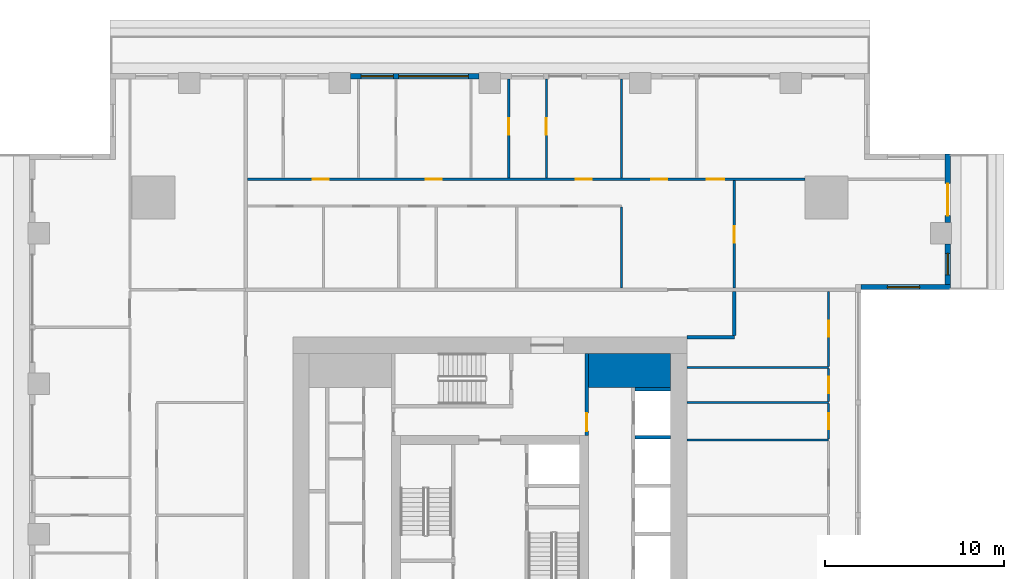
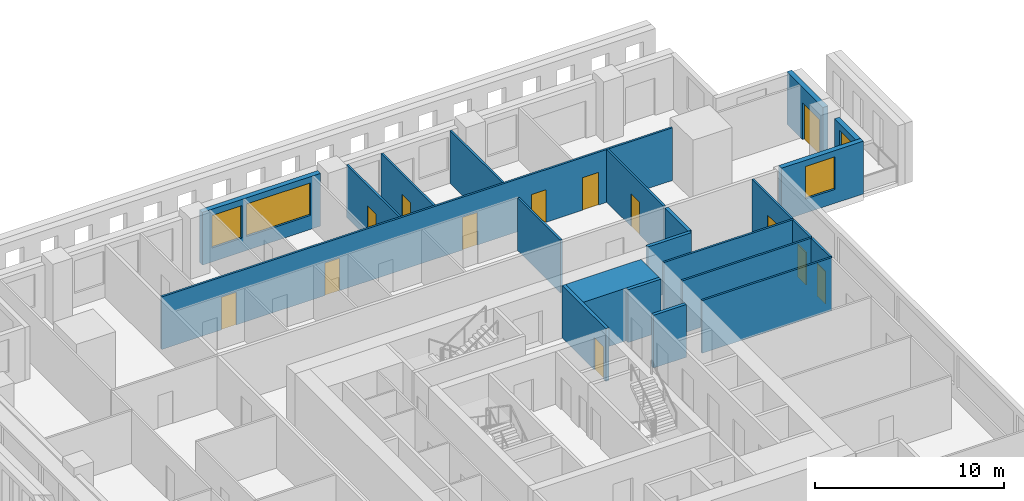
# One storey, part 8 of 15: 22 walls, 13 doors, 4 windows, 17 openings.
"""IFC4 building model written with IfcOpenShell, lengths in metres."""

from ifc_helpers import new_model, si_unit, direction, frame, frame_2d, origin, place, context, subcontext, project, spatial, rectangle, extrude, material, layer, layer_set, type_object, element, fill, save


model = new_model("IFC4")

# Units and contexts
model_context = context("Model", 3, precision=1e-05, world=origin(), true_north=direction((0.0, 1.0)))
body_context = subcontext(model_context, "Body", "Model", "MODEL_VIEW")
ifc_project = project(units=[si_unit("LENGTHUNIT", "METRE"), si_unit("AREAUNIT", "SQUARE_METRE"), si_unit("VOLUMEUNIT", "CUBIC_METRE"), si_unit("PLANEANGLEUNIT", "RADIAN"), si_unit("MASSUNIT", "GRAM", prefix="KILO")], contexts=[model_context])

# Site, building, storey
site_placement = place(None, origin())
site = spatial("IfcSite", under=ifc_project, at=site_placement, CompositionType="ELEMENT")
building_placement = place(site_placement, origin())
building = spatial("IfcBuilding", under=site, at=building_placement, Name="Khepri Terraces", CompositionType="ELEMENT")
storey_placement = place(building_placement, frame((0.0, 0.0, 231.300048828125)))
storey = spatial("IfcBuildingStorey", under=building, at=storey_placement, Name="L55", CompositionType="ELEMENT", Elevation=231.300048828125)

# Walls
ifc_material_1 = material(Name="Concrete C50/60", Category="concrete")
ifc_layer_1 = layer(ifc_material_1, 1.89990234375, Name="Concrete C50/60", Category="concrete")
ifc_layer_set_1 = layer_set([ifc_layer_1], Name="Concrete C50/60")
wall_type_1 = type_object("IfcWallType", Name="Core wall 1900 C50/60", PredefinedType="SHEAR", material=ifc_layer_set_1)
wall_1_placement = place(storey_placement, frame((5.5, 9.14990234375, 0.0), z_axis=(0.0, 0.0, 1.0), x_axis=(1.0, 0.0, 0.0)))
element("IfcWall", 1, at=wall_1_placement, inside=storey, type_object=wall_type_1, Name="Core wall PR04 L55", PredefinedType="SHEAR", context=body_context, shape_type="SweptSolid", body=[
    extrude(rectangle(XDim=4.60009765625, YDim=1.89990234375, at=frame_2d((2.300048828125, 0.0))), origin(), (0.0, 0.0, 1.0), 3.39990234375),
])
ifc_layer_2 = layer(ifc_material_1, 0.199951171875, Name="Concrete C50/60", Category="concrete")
ifc_layer_set_2 = layer_set([ifc_layer_2], Name="Concrete C50/60")
wall_type_2 = type_object("IfcWallType", Name="Core wall 200 C50/60", PredefinedType="SHEAR", material=ifc_layer_set_2)
for number, where, z_axis, x_axis, name in (
    (2, (8.10009765625, 5.39990234375, 0.0), (0.0, 0.0, 1.0), (1.0, 0.0, 0.0), "Core wall SH14 L55"),
    (3, (8.10009765625, 8.10009765625, 0.0), (0.0, 0.0, 1.0), (1.0, 0.0, 0.0), "Core wall SH15 L55"),
):
    element("IfcWall", number, at=place(storey_placement, frame(where, z_axis=z_axis, x_axis=x_axis)), inside=storey, type_object=wall_type_2, Name=name, PredefinedType="SHEAR", context=body_context, shape_type="SweptSolid", body=[
        extrude(rectangle(XDim=2.0, YDim=0.199951171875, at=frame_2d((1.0, 0.0))), origin(), (0.0, 0.0, 1.0), 3.39990234375),
    ])

# Wall, opening, door
ifc_material_2 = material(Name="Fire-rated gypsum board partition")
ifc_layer_3 = layer(ifc_material_2, 0.199951171875, Name="Fire-rated gypsum board partition")
ifc_layer_set_3 = layer_set([ifc_layer_3], Name="Fire-rated gypsum board partition")
wall_type_3 = type_object("IfcWallType", Name="WL-CORE-PART-200", PredefinedType="PARTITIONING", material=ifc_layer_set_3)
wall_2_placement = place(storey_placement, frame((5.39990234375, 5.5, 0.0), z_axis=(0.0, 0.0, 1.0), x_axis=(0.0, 1.0, 0.0)))
wall_2 = element("IfcWall", 4, at=wall_2_placement, inside=storey, type_object=wall_type_3, Name="Core partition PT13 L55", PredefinedType="PARTITIONING", context=body_context, shape_type="SweptSolid", body=[
    extrude(rectangle(XDim=4.60009765625, YDim=0.199951171875, at=frame_2d((2.300048828125, 0.0))), origin(), (0.0, 0.0, 1.0), 3.39990234375),
])
opening_1_placement = place(wall_2_placement, frame((0.25, 0.0, 0.0)))
opening_1 = element("IfcOpeningElement", 5, at=opening_1_placement, cuts=wall_2, Name="Opening L55-C17", PredefinedType="OPENING", context=body_context, shape_type="SweptSolid", body=[
    extrude(rectangle(XDim=1.0, YDim=2.10009765625, at=frame_2d((0.5, 1.050048828125))), frame((0.0, 0.10986328125, 0.0), z_axis=(0.0, -1.0, 0.0), x_axis=(1.0, 0.0, 0.0)), (0.0, 0.0, 1.0), 0.219970703125),
])
ifc_material_3 = material(Name="Painted steel", Category="steel")
door_type_1 = type_object("IfcDoorType", Name="DR-CORE-LOBBY-1000", OperationType="NOTDEFINED", PredefinedType="DOOR", material=ifc_material_3)
door_1_placement = place(opening_1_placement, origin())
door_1 = element("IfcDoor", 6, at=door_1_placement, inside=storey, type_object=door_type_1, Name="Lobby door L55-C17", OperationType="SINGLE_SWING_LEFT", OverallHeight=2.10009765625, OverallWidth=1.0, PredefinedType="DOOR", context=body_context, shape_type="SweptSolid", body=[
    extrude(rectangle(XDim=1.0, YDim=2.10009765625, at=frame_2d((0.5, 1.050048828125))), frame((0.0, 0.02490234375, 0.0), z_axis=(0.0, -1.0, 0.0), x_axis=(1.0, 0.0, 0.0)), (0.0, 0.0, 1.0), 0.050048828125),
])
fill(opening_1, door_1)

# Walls
ifc_material_4 = material(Name="Fire-rated gypsum plasterboard partition, mineral wool")
ifc_layer_4 = layer(ifc_material_4, 0.199951171875, Name="Fire-rated gypsum plasterboard partition, mineral wool")
ifc_layer_set_4 = layer_set([ifc_layer_4], Name="Fire-rated gypsum plasterboard partition, mineral wool")
wall_type_4 = type_object("IfcWallType", Name="WL-CORR-200", PredefinedType="PARTITIONING", material=ifc_layer_set_4)
wall_3_placement = place(storey_placement, frame((11.0, 11.0, 0.0), z_axis=(0.0, 0.0, 1.0), x_axis=(1.0, 0.0, 0.0)))
element("IfcWall", 7, at=wall_3_placement, inside=storey, type_object=wall_type_4, Name="Partition P-064 L55", PredefinedType="PARTITIONING", context=body_context, shape_type="SweptSolid", body=[
    extrude(rectangle(XDim=2.64990234375, YDim=0.199951171875, at=frame_2d((1.324951171875, 0.0))), origin(), (0.0, 0.0, 1.0), 3.39990234375),
])
wall_4_placement = place(storey_placement, frame((13.64990234375, 11.10009765625, 0.0), z_axis=(0.0, 0.0, 1.0), x_axis=(0.0, 1.0, 0.0)))
element("IfcWall", 8, at=wall_4_placement, inside=storey, type_object=wall_type_4, Name="Partition P-065 L55", PredefinedType="PARTITIONING", context=body_context, shape_type="SweptSolid", body=[
    extrude(rectangle(XDim=2.449951171875, YDim=0.199951171875, at=frame_2d((1.22509765625, 0.0))), origin(), (0.0, 0.0, 1.0), 3.39990234375),
])

# Wall, opening, window
ifc_material_5 = material(Name="Precast concrete C50/60 warm stone", Category="masonry")
ifc_layer_5 = layer(ifc_material_5, 0.300048828125, Name="Precast concrete C50/60 warm stone", Category="masonry")
ifc_layer_set_5 = layer_set([ifc_layer_5], Name="Precast concrete C50/60 warm stone")
wall_type_5 = type_object("IfcWallType", Name="WL-EXT-PRECAST-300", PredefinedType="STANDARD", material=ifc_layer_set_5)
wall_5_placement = place(storey_placement, frame((20.719970703125, 13.800048828125, 0.0), z_axis=(0.0, 0.0, 1.0), x_axis=(1.0, 0.0, 0.0)))
wall_5 = element("IfcWall", 9, at=wall_5_placement, inside=storey, type_object=wall_type_5, Name="External wall L55 S", PredefinedType="STANDARD", context=body_context, shape_type="SweptSolid", body=[
    extrude(rectangle(XDim=5.0, YDim=0.300048828125, at=frame_2d((2.5, 0.0))), origin(), (0.0, 0.0, 1.0), 3.39990234375),
])
opening_2_placement = place(wall_5_placement, frame((1.47998046875, 0.0, 0.89990234375)))
opening_2 = element("IfcOpeningElement", 10, at=opening_2_placement, cuts=wall_5, Name="Opening W1", PredefinedType="OPENING", context=body_context, shape_type="SweptSolid", body=[
    extrude(rectangle(XDim=1.800048828125, YDim=2.10009765625, at=frame_2d((0.89990234375, 1.050048828125))), frame((0.0, 0.16015625, 0.0), z_axis=(0.0, -1.0, 0.0), x_axis=(1.0, 0.0, 0.0)), (0.0, 0.0, 1.0), 0.320068359375),
])
ifc_material_6 = material(Name="Clear glass", Category="glass")
window_type_1 = type_object("IfcWindowType", Name="WIN-RES-1800x2100", PartitioningType="SINGLE_PANEL", PredefinedType="WINDOW", material=ifc_material_6)
window_1_placement = place(opening_2_placement, origin())
window_1 = element("IfcWindow", 11, at=window_1_placement, inside=storey, type_object=window_type_1, Name="Window L55 S", OverallHeight=2.10009765625, OverallWidth=1.800048828125, PartitioningType="SINGLE_PANEL", PredefinedType="WINDOW", context=body_context, shape_type="SweptSolid", body=[
    extrude(rectangle(XDim=1.800048828125, YDim=2.10009765625, at=frame_2d((0.89990234375, 1.050048828125))), frame((0.0, 0.030029296875, 0.0), z_axis=(0.0, -1.0, 0.0), x_axis=(1.0, 0.0, 0.0)), (0.0, 0.0, 1.0), 0.06005859375),
])
fill(opening_2, window_1)

wall_6_placement = place(storey_placement, frame((25.570068359375, 13.949951171875, 0.0), z_axis=(0.0, 0.0, 1.0), x_axis=(0.0, 1.0, 0.0)))
wall_6 = element("IfcWall", 12, at=wall_6_placement, inside=storey, type_object=wall_type_5, Name="External wall L55 E", PredefinedType="STANDARD", context=body_context, shape_type="SweptSolid", body=[
    extrude(rectangle(XDim=2.25, YDim=0.300048828125, at=frame_2d((1.125, 0.0))), origin(), (0.0, 0.0, 1.0), 3.39990234375),
])
opening_3_placement = place(wall_6_placement, frame((0.52490234375, 0.0, 0.89990234375)))
opening_3 = element("IfcOpeningElement", 13, at=opening_3_placement, cuts=wall_6, Name="Opening W4", PredefinedType="OPENING", context=body_context, shape_type="SweptSolid", body=[
    extrude(rectangle(XDim=1.199951171875, YDim=2.10009765625, at=frame_2d((0.60009765625, 1.050048828125))), frame((0.0, 0.16015625, 0.0), z_axis=(0.0, -1.0, 0.0), x_axis=(1.0, 0.0, 0.0)), (0.0, 0.0, 1.0), 0.320068359375),
])
window_type_2 = type_object("IfcWindowType", Name="WIN-RES-1200x2100", PartitioningType="SINGLE_PANEL", PredefinedType="WINDOW", material=ifc_material_6)
window_2_placement = place(opening_3_placement, origin())
window_2 = element("IfcWindow", 14, at=window_2_placement, inside=storey, type_object=window_type_2, Name="Window L55 E", OverallHeight=2.10009765625, OverallWidth=1.199951171875, PartitioningType="SINGLE_PANEL", PredefinedType="WINDOW", context=body_context, shape_type="SweptSolid", body=[
    extrude(rectangle(XDim=1.199951171875, YDim=2.10009765625, at=frame_2d((0.60009765625, 1.050048828125))), frame((0.0, 0.030029296875, 0.0), z_axis=(0.0, -1.0, 0.0), x_axis=(1.0, 0.0, 0.0)), (0.0, 0.0, 1.0), 0.06005859375),
])
fill(opening_3, window_2)

# Wall, opening, door
wall_7_placement = place(storey_placement, frame((25.570068359375, 17.39990234375, 0.0), z_axis=(0.0, 0.0, 1.0), x_axis=(0.0, 1.0, 0.0)))
wall_7 = element("IfcWall", 15, at=wall_7_placement, inside=storey, type_object=wall_type_5, Name="External wall L55 E", PredefinedType="STANDARD", context=body_context, shape_type="SweptSolid", body=[
    extrude(rectangle(XDim=3.820068359375, YDim=0.300048828125, at=frame_2d((1.91015625, 0.0))), origin(), (0.0, 0.0, 1.0), 3.39990234375),
])
opening_4_placement = place(wall_7_placement, frame((0.385009765625, 0.0, 0.0)))
opening_4 = element("IfcOpeningElement", 16, at=opening_4_placement, cuts=wall_7, Name="Opening ED-L55-03", PredefinedType="OPENING", context=body_context, shape_type="SweptSolid", body=[
    extrude(rectangle(XDim=1.800048828125, YDim=2.39990234375, at=frame_2d((0.89990234375, 1.199951171875))), frame((0.0, 0.16015625, 0.0), z_axis=(0.0, -1.0, 0.0), x_axis=(1.0, 0.0, 0.0)), (0.0, 0.0, 1.0), 0.320068359375),
])
ifc_material_7 = material(Name="Anodised aluminium bronze glazed door", Category="aluminium")
door_type_2 = type_object("IfcDoorType", Name="DR-BAL-SLIDE-1800x2400", OperationType="NOTDEFINED", PredefinedType="DOOR", material=ifc_material_7)
door_2_placement = place(opening_4_placement, origin())
door_2 = element("IfcDoor", 17, at=door_2_placement, inside=storey, type_object=door_type_2, Name="Balcony door L55 E", OperationType="SLIDING_TO_LEFT", OverallHeight=2.39990234375, OverallWidth=1.800048828125, PredefinedType="DOOR", context=body_context, shape_type="SweptSolid", body=[
    extrude(rectangle(XDim=1.800048828125, YDim=2.39990234375, at=frame_2d((0.89990234375, 1.199951171875))), frame((0.0, 0.02490234375, 0.0), z_axis=(0.0, -1.0, 0.0), x_axis=(1.0, 0.0, 0.0)), (0.0, 0.0, 1.0), 0.050048828125),
])
fill(opening_4, door_2)

# Wall, openings, windows
wall_8_placement = place(storey_placement, frame((-0.60009765625, 25.570068359375, 0.0), z_axis=(0.0, 0.0, 1.0), x_axis=(-1.0, 0.0, 0.0)))
wall_8 = element("IfcWall", 18, at=wall_8_placement, inside=storey, type_object=wall_type_5, Name="External wall L55 N", PredefinedType="STANDARD", context=body_context, shape_type="SweptSolid", body=[
    extrude(rectangle(XDim=7.199951171875, YDim=0.300048828125, at=frame_2d((3.60009765625, 0.0))), origin(), (0.0, 0.0, 1.0), 3.39990234375),
])
opening_5_placement = place(wall_8_placement, frame((0.60009765625, 0.0, 0.89990234375)))
opening_5 = element("IfcOpeningElement", 19, at=opening_5_placement, cuts=wall_8, Name="Opening W2", PredefinedType="OPENING", context=body_context, shape_type="SweptSolid", body=[
    extrude(rectangle(XDim=3.89990234375, YDim=2.10009765625, at=frame_2d((1.949951171875, 1.050048828125))), frame((0.0, 0.16015625, 0.0), z_axis=(0.0, -1.0, 0.0), x_axis=(1.0, 0.0, 0.0)), (0.0, 0.0, 1.0), 0.320068359375),
])
opening_6_placement = place(wall_8_placement, frame((4.800048828125, 0.0, 0.89990234375)))
opening_6 = element("IfcOpeningElement", 20, at=opening_6_placement, cuts=wall_8, Name="Opening W1", PredefinedType="OPENING", context=body_context, shape_type="SweptSolid", body=[
    extrude(rectangle(XDim=1.800048828125, YDim=2.10009765625, at=frame_2d((0.89990234375, 1.050048828125))), frame((0.0, 0.16015625, 0.0), z_axis=(0.0, -1.0, 0.0), x_axis=(1.0, 0.0, 0.0)), (0.0, 0.0, 1.0), 0.320068359375),
])
window_3_placement = place(opening_6_placement, origin())
window_3 = element("IfcWindow", 21, at=window_3_placement, inside=storey, type_object=window_type_1, Name="Window L55 N", OverallHeight=2.10009765625, OverallWidth=1.800048828125, PartitioningType="SINGLE_PANEL", PredefinedType="WINDOW", context=body_context, shape_type="SweptSolid", body=[
    extrude(rectangle(XDim=1.800048828125, YDim=2.10009765625, at=frame_2d((0.89990234375, 1.050048828125))), frame((0.0, 0.030029296875, 0.0), z_axis=(0.0, -1.0, 0.0), x_axis=(1.0, 0.0, 0.0)), (0.0, 0.0, 1.0), 0.06005859375),
])
fill(opening_6, window_3)
window_type_3 = type_object("IfcWindowType", Name="WIN-RES-3900x2100", PartitioningType="SINGLE_PANEL", PredefinedType="WINDOW", material=ifc_material_6)
window_4_placement = place(opening_5_placement, origin())
window_4 = element("IfcWindow", 22, at=window_4_placement, inside=storey, type_object=window_type_3, Name="Window L55 N", OverallHeight=2.10009765625, OverallWidth=3.89990234375, PartitioningType="SINGLE_PANEL", PredefinedType="WINDOW", context=body_context, shape_type="SweptSolid", body=[
    extrude(rectangle(XDim=3.89990234375, YDim=2.10009765625, at=frame_2d((1.949951171875, 1.050048828125))), frame((0.0, 0.030029296875, 0.0), z_axis=(0.0, -1.0, 0.0), x_axis=(1.0, 0.0, 0.0)), (0.0, 0.0, 1.0), 0.06005859375),
])
fill(opening_5, window_4)

# Wall
ifc_material_8 = material(Name="Gypsum plasterboard partition")
ifc_layer_6 = layer(ifc_material_8, 0.1201171875, Name="Gypsum plasterboard partition")
ifc_layer_set_6 = layer_set([ifc_layer_6], Name="Gypsum plasterboard partition")
wall_type_6 = type_object("IfcWallType", Name="WL-PART-120", PredefinedType="PARTITIONING", material=ifc_layer_set_6)
wall_9_placement = place(storey_placement, frame((11.0, 5.25, 0.0), z_axis=(0.0, 0.0, 1.0), x_axis=(1.0, 0.0, 0.0)))
element("IfcWall", 23, at=wall_9_placement, inside=storey, type_object=wall_type_6, Name="Partition P-057 L55", PredefinedType="PARTITIONING", context=body_context, shape_type="SweptSolid", body=[
    extrude(rectangle(XDim=7.919921875, YDim=0.1201171875, at=frame_2d((3.9599609375, 0.0))), origin(), (0.0, 0.0, 1.0), 3.39990234375),
])

# Wall, opening, door
wall_10_placement = place(storey_placement, frame((18.919921875, 5.31005859375, 0.0), z_axis=(0.0, 0.0, 1.0), x_axis=(0.0, 1.0, 0.0)))
wall_10 = element("IfcWall", 24, at=wall_10_placement, inside=storey, type_object=wall_type_6, Name="Partition P-058 L55", PredefinedType="PARTITIONING", context=body_context, shape_type="SweptSolid", body=[
    extrude(rectangle(XDim=1.97998046875, YDim=0.1201171875, at=frame_2d((0.989990234375, 0.0))), origin(), (0.0, 0.0, 1.0), 3.39990234375),
])
opening_7_placement = place(wall_10_placement, frame((0.5400390625, 0.0, 0.0)))
opening_7 = element("IfcOpeningElement", 25, at=opening_7_placement, cuts=wall_10, Name="Opening D4", PredefinedType="OPENING", context=body_context, shape_type="SweptSolid", body=[
    extrude(rectangle(XDim=0.89990234375, YDim=2.10009765625, at=frame_2d((0.449951171875, 1.050048828125))), frame((0.0, 0.070068359375, 0.0), z_axis=(0.0, -1.0, 0.0), x_axis=(1.0, 0.0, 0.0)), (0.0, 0.0, 1.0), 0.14013671875),
])
ifc_material_9 = material(Name="Timber door leaf, moisture resistant", Category="wood")
door_type_3 = type_object("IfcDoorType", Name="DR-WET-900", OperationType="NOTDEFINED", PredefinedType="DOOR", material=ifc_material_9)
door_3_placement = place(opening_7_placement, origin())
door_3 = element("IfcDoor", 26, at=door_3_placement, inside=storey, type_object=door_type_3, Name="Door Powder Room", OperationType="SINGLE_SWING_RIGHT", OverallHeight=2.10009765625, OverallWidth=0.89990234375, PredefinedType="DOOR", context=body_context, shape_type="SweptSolid", body=[
    extrude(rectangle(XDim=0.89990234375, YDim=2.10009765625, at=frame_2d((0.449951171875, 1.050048828125))), frame((0.0, 0.02490234375, 0.0), z_axis=(0.0, -1.0, 0.0), x_axis=(1.0, 0.0, 0.0)), (0.0, 0.0, 1.0), 0.050048828125),
])
fill(opening_7, door_3)

# Wall
wall_11_placement = place(storey_placement, frame((11.0, 7.35009765625, 0.0), z_axis=(0.0, 0.0, 1.0), x_axis=(1.0, 0.0, 0.0)))
element("IfcWall", 27, at=wall_11_placement, inside=storey, type_object=wall_type_6, Name="Partition P-060 L55", PredefinedType="PARTITIONING", context=body_context, shape_type="SweptSolid", body=[
    extrude(rectangle(XDim=7.919921875, YDim=0.1201171875, at=frame_2d((3.9599609375, 0.0))), origin(), (0.0, 0.0, 1.0), 3.39990234375),
])

# Wall, opening, door
wall_12_placement = place(storey_placement, frame((18.919921875, 7.409912109375, 0.0), z_axis=(0.0, 0.0, 1.0), x_axis=(0.0, 1.0, 0.0)))
wall_12 = element("IfcWall", 28, at=wall_12_placement, inside=storey, type_object=wall_type_6, Name="Partition P-061 L55", PredefinedType="PARTITIONING", context=body_context, shape_type="SweptSolid", body=[
    extrude(rectangle(XDim=1.830078125, YDim=0.1201171875, at=frame_2d((0.9150390625, 0.0))), origin(), (0.0, 0.0, 1.0), 3.39990234375),
])
opening_8_placement = place(wall_12_placement, frame((0.465087890625, 0.0, 0.0)))
opening_8 = element("IfcOpeningElement", 29, at=opening_8_placement, cuts=wall_12, Name="Opening D4", PredefinedType="OPENING", context=body_context, shape_type="SweptSolid", body=[
    extrude(rectangle(XDim=0.89990234375, YDim=2.10009765625, at=frame_2d((0.449951171875, 1.050048828125))), frame((0.0, 0.070068359375, 0.0), z_axis=(0.0, -1.0, 0.0), x_axis=(1.0, 0.0, 0.0)), (0.0, 0.0, 1.0), 0.14013671875),
])
door_4_placement = place(opening_8_placement, origin())
door_4 = element("IfcDoor", 30, at=door_4_placement, inside=storey, type_object=door_type_3, Name="Door Guest Bathroom", OperationType="SINGLE_SWING_LEFT", OverallHeight=2.10009765625, OverallWidth=0.89990234375, PredefinedType="DOOR", context=body_context, shape_type="SweptSolid", body=[
    extrude(rectangle(XDim=0.89990234375, YDim=2.10009765625, at=frame_2d((0.449951171875, 1.050048828125))), frame((0.0, 0.02490234375, 0.0), z_axis=(0.0, -1.0, 0.0), x_axis=(1.0, 0.0, 0.0)), (0.0, 0.0, 1.0), 0.050048828125),
])
fill(opening_8, door_4)

# Wall
wall_13_placement = place(storey_placement, frame((11.0, 9.300048828125, 0.0), z_axis=(0.0, 0.0, 1.0), x_axis=(1.0, 0.0, 0.0)))
element("IfcWall", 31, at=wall_13_placement, inside=storey, type_object=wall_type_6, Name="Partition P-062 L55", PredefinedType="PARTITIONING", context=body_context, shape_type="SweptSolid", body=[
    extrude(rectangle(XDim=7.919921875, YDim=0.1201171875, at=frame_2d((3.9599609375, 0.0))), origin(), (0.0, 0.0, 1.0), 3.39990234375),
])

# Wall, opening, door
wall_14_placement = place(storey_placement, frame((18.919921875, 9.360107421875, 0.0), z_axis=(0.0, 0.0, 1.0), x_axis=(0.0, 1.0, 0.0)))
wall_14 = element("IfcWall", 32, at=wall_14_placement, inside=storey, type_object=wall_type_6, Name="Partition P-063 L55", PredefinedType="PARTITIONING", context=body_context, shape_type="SweptSolid", body=[
    extrude(rectangle(XDim=4.18994140625, YDim=0.1201171875, at=frame_2d((2.094970703125, 0.0))), origin(), (0.0, 0.0, 1.0), 3.39990234375),
])
opening_9_placement = place(wall_14_placement, frame((1.6650390625, 0.0, 0.0)))
opening_9 = element("IfcOpeningElement", 33, at=opening_9_placement, cuts=wall_14, Name="Opening D3", PredefinedType="OPENING", context=body_context, shape_type="SweptSolid", body=[
    extrude(rectangle(XDim=0.89990234375, YDim=2.10009765625, at=frame_2d((0.449951171875, 1.050048828125))), frame((0.0, 0.070068359375, 0.0), z_axis=(0.0, -1.0, 0.0), x_axis=(1.0, 0.0, 0.0)), (0.0, 0.0, 1.0), 0.14013671875),
])
ifc_material_10 = material(Name="Timber door leaf", Category="wood")
door_type_4 = type_object("IfcDoorType", Name="DR-INT-900", OperationType="NOTDEFINED", PredefinedType="DOOR", material=ifc_material_10)
door_5_placement = place(opening_9_placement, origin())
door_5 = element("IfcDoor", 34, at=door_5_placement, inside=storey, type_object=door_type_4, Name="Door Staff Bedroom", OperationType="SINGLE_SWING_RIGHT", OverallHeight=2.10009765625, OverallWidth=0.89990234375, PredefinedType="DOOR", context=body_context, shape_type="SweptSolid", body=[
    extrude(rectangle(XDim=0.89990234375, YDim=2.10009765625, at=frame_2d((0.449951171875, 1.050048828125))), frame((0.0, 0.02490234375, 0.0), z_axis=(0.0, -1.0, 0.0), x_axis=(1.0, 0.0, 0.0)), (0.0, 0.0, 1.0), 0.050048828125),
])
fill(opening_9, door_5)

# Wall
wall_15_placement = place(storey_placement, frame((7.35009765625, 13.75, 0.0), z_axis=(0.0, 0.0, 1.0), x_axis=(0.0, 1.0, 0.0)))
element("IfcWall", 35, at=wall_15_placement, inside=storey, type_object=wall_type_6, Name="Partition P-076 L55", PredefinedType="PARTITIONING", context=body_context, shape_type="SweptSolid", body=[
    extrude(rectangle(XDim=4.510009765625, YDim=0.1201171875, at=frame_2d((2.2548828125, 0.0))), origin(), (0.0, 0.0, 1.0), 3.39990234375),
])

# Wall, opening, door
wall_16_placement = place(storey_placement, frame((13.64990234375, 13.75, 0.0), z_axis=(0.0, 0.0, 1.0), x_axis=(0.0, 1.0, 0.0)))
wall_16 = element("IfcWall", 36, at=wall_16_placement, inside=storey, type_object=wall_type_6, Name="Partition P-077 L55", PredefinedType="PARTITIONING", context=body_context, shape_type="SweptSolid", body=[
    extrude(rectangle(XDim=6.010009765625, YDim=0.1201171875, at=frame_2d((3.0048828125, 0.0))), origin(), (0.0, 0.0, 1.0), 3.39990234375),
])
opening_10_placement = place(wall_16_placement, frame((2.534912109375, 0.0, 0.0)))
opening_10 = element("IfcOpeningElement", 37, at=opening_10_placement, cuts=wall_16, Name="Opening D3", PredefinedType="OPENING", context=body_context, shape_type="SweptSolid", body=[
    extrude(rectangle(XDim=0.89990234375, YDim=2.10009765625, at=frame_2d((0.449951171875, 1.050048828125))), frame((0.0, 0.070068359375, 0.0), z_axis=(0.0, -1.0, 0.0), x_axis=(1.0, 0.0, 0.0)), (0.0, 0.0, 1.0), 0.14013671875),
])
door_6_placement = place(opening_10_placement, frame((0.89990234375, 0.0, 0.0), z_axis=(0.0, 0.0, 1.0), x_axis=(-1.0, 0.0, 0.0)))
door_6 = element("IfcDoor", 38, at=door_6_placement, inside=storey, type_object=door_type_4, Name="Door Library", OperationType="SINGLE_SWING_RIGHT", OverallHeight=2.10009765625, OverallWidth=0.89990234375, PredefinedType="DOOR", context=body_context, shape_type="SweptSolid", body=[
    extrude(rectangle(XDim=0.89990234375, YDim=2.10009765625, at=frame_2d((0.449951171875, 1.050048828125))), frame((0.0, 0.02490234375, 0.0), z_axis=(0.0, -1.0, 0.0), x_axis=(1.0, 0.0, 0.0)), (0.0, 0.0, 1.0), 0.050048828125),
])
fill(opening_10, door_6)

# Wall, openings, doors
wall_17_placement = place(storey_placement, frame((-13.550048828125, 19.820068359375, 0.0), z_axis=(0.0, 0.0, 1.0), x_axis=(1.0, 0.0, 0.0)))
wall_17 = element("IfcWall", 39, at=wall_17_placement, inside=storey, type_object=wall_type_6, Name="Partition P-079 L55", PredefinedType="PARTITIONING", context=body_context, shape_type="SweptSolid", body=[
    extrude(rectangle(XDim=31.150146484375, YDim=0.1201171875, at=frame_2d((15.5751953125, 0.0))), origin(), (0.0, 0.0, 1.0), 3.39990234375),
])
opening_11_placement = place(wall_17_placement, frame((25.64990234375, 0.0, 0.0)))
opening_11 = element("IfcOpeningElement", 40, at=opening_11_placement, cuts=wall_17, Name="Opening D2", PredefinedType="OPENING", context=body_context, shape_type="SweptSolid", body=[
    extrude(rectangle(XDim=1.0, YDim=2.10009765625, at=frame_2d((0.5, 1.050048828125))), frame((0.0, 0.070068359375, 0.0), z_axis=(0.0, -1.0, 0.0), x_axis=(1.0, 0.0, 0.0)), (0.0, 0.0, 1.0), 0.14013671875),
])
opening_12_placement = place(wall_17_placement, frame((22.550048828125, 0.0, 0.0)))
opening_12 = element("IfcOpeningElement", 41, at=opening_12_placement, cuts=wall_17, Name="Opening D3", PredefinedType="OPENING", context=body_context, shape_type="SweptSolid", body=[
    extrude(rectangle(XDim=0.89990234375, YDim=2.10009765625, at=frame_2d((0.449951171875, 1.050048828125))), frame((0.0, 0.070068359375, 0.0), z_axis=(0.0, -1.0, 0.0), x_axis=(1.0, 0.0, 0.0)), (0.0, 0.0, 1.0), 0.14013671875),
])
opening_13_placement = place(wall_17_placement, frame((18.35009765625, 0.0, 0.0)))
opening_13 = element("IfcOpeningElement", 42, at=opening_13_placement, cuts=wall_17, Name="Opening D3", PredefinedType="OPENING", context=body_context, shape_type="SweptSolid", body=[
    extrude(rectangle(XDim=0.89990234375, YDim=2.10009765625, at=frame_2d((0.449951171875, 1.050048828125))), frame((0.0, 0.070068359375, 0.0), z_axis=(0.0, -1.0, 0.0), x_axis=(1.0, 0.0, 0.0)), (0.0, 0.0, 1.0), 0.14013671875),
])
opening_14_placement = place(wall_17_placement, frame((9.949951171875, 0.0, 0.0)))
opening_14 = element("IfcOpeningElement", 43, at=opening_14_placement, cuts=wall_17, Name="Opening D3", PredefinedType="OPENING", context=body_context, shape_type="SweptSolid", body=[
    extrude(rectangle(XDim=0.89990234375, YDim=2.10009765625, at=frame_2d((0.449951171875, 1.050048828125))), frame((0.0, 0.070068359375, 0.0), z_axis=(0.0, -1.0, 0.0), x_axis=(1.0, 0.0, 0.0)), (0.0, 0.0, 1.0), 0.14013671875),
])
opening_15_placement = place(wall_17_placement, frame((3.64990234375, 0.0, 0.0)))
opening_15 = element("IfcOpeningElement", 44, at=opening_15_placement, cuts=wall_17, Name="Opening D3", PredefinedType="OPENING", context=body_context, shape_type="SweptSolid", body=[
    extrude(rectangle(XDim=0.89990234375, YDim=2.10009765625, at=frame_2d((0.449951171875, 1.050048828125))), frame((0.0, 0.070068359375, 0.0), z_axis=(0.0, -1.0, 0.0), x_axis=(1.0, 0.0, 0.0)), (0.0, 0.0, 1.0), 0.14013671875),
])
ifc_material_11 = material(Name="Timber door leaf, living room door", Category="wood")
door_type_5 = type_object("IfcDoorType", Name="DR-INT-1000", OperationType="NOTDEFINED", PredefinedType="DOOR", material=ifc_material_11)
door_7_placement = place(opening_11_placement, origin())
door_7 = element("IfcDoor", 45, at=door_7_placement, inside=storey, type_object=door_type_5, Name="Door Living Room", OperationType="SINGLE_SWING_RIGHT", OverallHeight=2.10009765625, OverallWidth=1.0, PredefinedType="DOOR", context=body_context, shape_type="SweptSolid", body=[
    extrude(rectangle(XDim=1.0, YDim=2.10009765625, at=frame_2d((0.5, 1.050048828125))), frame((0.0, 0.02490234375, 0.0), z_axis=(0.0, -1.0, 0.0), x_axis=(1.0, 0.0, 0.0)), (0.0, 0.0, 1.0), 0.050048828125),
])
fill(opening_11, door_7)
door_8_placement = place(opening_12_placement, origin())
door_8 = element("IfcDoor", 46, at=door_8_placement, inside=storey, type_object=door_type_4, Name="Door Study", OperationType="SINGLE_SWING_RIGHT", OverallHeight=2.10009765625, OverallWidth=0.89990234375, PredefinedType="DOOR", context=body_context, shape_type="SweptSolid", body=[
    extrude(rectangle(XDim=0.89990234375, YDim=2.10009765625, at=frame_2d((0.449951171875, 1.050048828125))), frame((0.0, 0.02490234375, 0.0), z_axis=(0.0, -1.0, 0.0), x_axis=(1.0, 0.0, 0.0)), (0.0, 0.0, 1.0), 0.050048828125),
])
fill(opening_12, door_8)
door_9_placement = place(opening_13_placement, origin())
door_9 = element("IfcDoor", 47, at=door_9_placement, inside=storey, type_object=door_type_4, Name="Door Master Bedroom", OperationType="SINGLE_SWING_RIGHT", OverallHeight=2.10009765625, OverallWidth=0.89990234375, PredefinedType="DOOR", context=body_context, shape_type="SweptSolid", body=[
    extrude(rectangle(XDim=0.89990234375, YDim=2.10009765625, at=frame_2d((0.449951171875, 1.050048828125))), frame((0.0, 0.02490234375, 0.0), z_axis=(0.0, -1.0, 0.0), x_axis=(1.0, 0.0, 0.0)), (0.0, 0.0, 1.0), 0.050048828125),
])
fill(opening_13, door_9)
door_10_placement = place(opening_14_placement, origin())
door_10 = element("IfcDoor", 48, at=door_10_placement, inside=storey, type_object=door_type_4, Name="Door Bedroom", OperationType="SINGLE_SWING_LEFT", OverallHeight=2.10009765625, OverallWidth=0.89990234375, PredefinedType="DOOR", context=body_context, shape_type="SweptSolid", body=[
    extrude(rectangle(XDim=0.89990234375, YDim=2.10009765625, at=frame_2d((0.449951171875, 1.050048828125))), frame((0.0, 0.02490234375, 0.0), z_axis=(0.0, -1.0, 0.0), x_axis=(1.0, 0.0, 0.0)), (0.0, 0.0, 1.0), 0.050048828125),
])
fill(opening_14, door_10)
door_11_placement = place(opening_15_placement, origin())
door_11 = element("IfcDoor", 49, at=door_11_placement, inside=storey, type_object=door_type_4, Name="Door Bedroom", OperationType="SINGLE_SWING_LEFT", OverallHeight=2.10009765625, OverallWidth=0.89990234375, PredefinedType="DOOR", context=body_context, shape_type="SweptSolid", body=[
    extrude(rectangle(XDim=0.89990234375, YDim=2.10009765625, at=frame_2d((0.449951171875, 1.050048828125))), frame((0.0, 0.02490234375, 0.0), z_axis=(0.0, -1.0, 0.0), x_axis=(1.0, 0.0, 0.0)), (0.0, 0.0, 1.0), 0.050048828125),
])
fill(opening_15, door_11)

# Wall, opening, door
wall_18_placement = place(storey_placement, frame((1.050048828125, 19.8798828125, 0.0), z_axis=(0.0, 0.0, 1.0), x_axis=(0.0, 1.0, 0.0)))
wall_18 = element("IfcWall", 50, at=wall_18_placement, inside=storey, type_object=wall_type_6, Name="Partition P-085 L55", PredefinedType="PARTITIONING", context=body_context, shape_type="SweptSolid", body=[
    extrude(rectangle(XDim=5.5400390625, YDim=0.1201171875, at=frame_2d((2.77001953125, 0.0))), origin(), (0.0, 0.0, 1.0), 3.39990234375),
])
opening_16_placement = place(wall_18_placement, frame((2.43994140625, 0.0, 0.0)))
opening_16 = element("IfcOpeningElement", 51, at=opening_16_placement, cuts=wall_18, Name="Opening D4", PredefinedType="OPENING", context=body_context, shape_type="SweptSolid", body=[
    extrude(rectangle(XDim=0.89990234375, YDim=2.10009765625, at=frame_2d((0.449951171875, 1.050048828125))), frame((0.0, 0.070068359375, 0.0), z_axis=(0.0, -1.0, 0.0), x_axis=(1.0, 0.0, 0.0)), (0.0, 0.0, 1.0), 0.14013671875),
])
door_12_placement = place(opening_16_placement, origin())
door_12 = element("IfcDoor", 52, at=door_12_placement, inside=storey, type_object=door_type_3, Name="Door Bathroom", OperationType="SINGLE_SWING_RIGHT", OverallHeight=2.10009765625, OverallWidth=0.89990234375, PredefinedType="DOOR", context=body_context, shape_type="SweptSolid", body=[
    extrude(rectangle(XDim=0.89990234375, YDim=2.10009765625, at=frame_2d((0.449951171875, 1.050048828125))), frame((0.0, 0.02490234375, 0.0), z_axis=(0.0, -1.0, 0.0), x_axis=(1.0, 0.0, 0.0)), (0.0, 0.0, 1.0), 0.050048828125),
])
fill(opening_16, door_12)

wall_19_placement = place(storey_placement, frame((3.14990234375, 19.8798828125, 0.0), z_axis=(0.0, 0.0, 1.0), x_axis=(0.0, 1.0, 0.0)))
wall_19 = element("IfcWall", 53, at=wall_19_placement, inside=storey, type_object=wall_type_6, Name="Partition P-086 L55", PredefinedType="PARTITIONING", context=body_context, shape_type="SweptSolid", body=[
    extrude(rectangle(XDim=5.5400390625, YDim=0.1201171875, at=frame_2d((2.77001953125, 0.0))), origin(), (0.0, 0.0, 1.0), 3.39990234375),
])
opening_17_placement = place(wall_19_placement, frame((2.43994140625, 0.0, 0.0)))
opening_17 = element("IfcOpeningElement", 54, at=opening_17_placement, cuts=wall_19, Name="Opening D3", PredefinedType="OPENING", context=body_context, shape_type="SweptSolid", body=[
    extrude(rectangle(XDim=0.89990234375, YDim=2.10009765625, at=frame_2d((0.449951171875, 1.050048828125))), frame((0.0, 0.070068359375, 0.0), z_axis=(0.0, -1.0, 0.0), x_axis=(1.0, 0.0, 0.0)), (0.0, 0.0, 1.0), 0.14013671875),
])
door_13_placement = place(opening_17_placement, origin())
door_13 = element("IfcDoor", 55, at=door_13_placement, inside=storey, type_object=door_type_4, Name="Door Dressing Room", OperationType="SINGLE_SWING_RIGHT", OverallHeight=2.10009765625, OverallWidth=0.89990234375, PredefinedType="DOOR", context=body_context, shape_type="SweptSolid", body=[
    extrude(rectangle(XDim=0.89990234375, YDim=2.10009765625, at=frame_2d((0.449951171875, 1.050048828125))), frame((0.0, 0.02490234375, 0.0), z_axis=(0.0, -1.0, 0.0), x_axis=(1.0, 0.0, 0.0)), (0.0, 0.0, 1.0), 0.050048828125),
])
fill(opening_17, door_13)

# Wall
wall_20_placement = place(storey_placement, frame((7.35009765625, 19.8798828125, 0.0), z_axis=(0.0, 0.0, 1.0), x_axis=(0.0, 1.0, 0.0)))
element("IfcWall", 56, at=wall_20_placement, inside=storey, type_object=wall_type_6, Name="Partition P-087 L55", PredefinedType="PARTITIONING", context=body_context, shape_type="SweptSolid", body=[
    extrude(rectangle(XDim=5.5400390625, YDim=0.1201171875, at=frame_2d((2.77001953125, 0.0))), origin(), (0.0, 0.0, 1.0), 3.39990234375),
])

save(model, "model.ifc")
